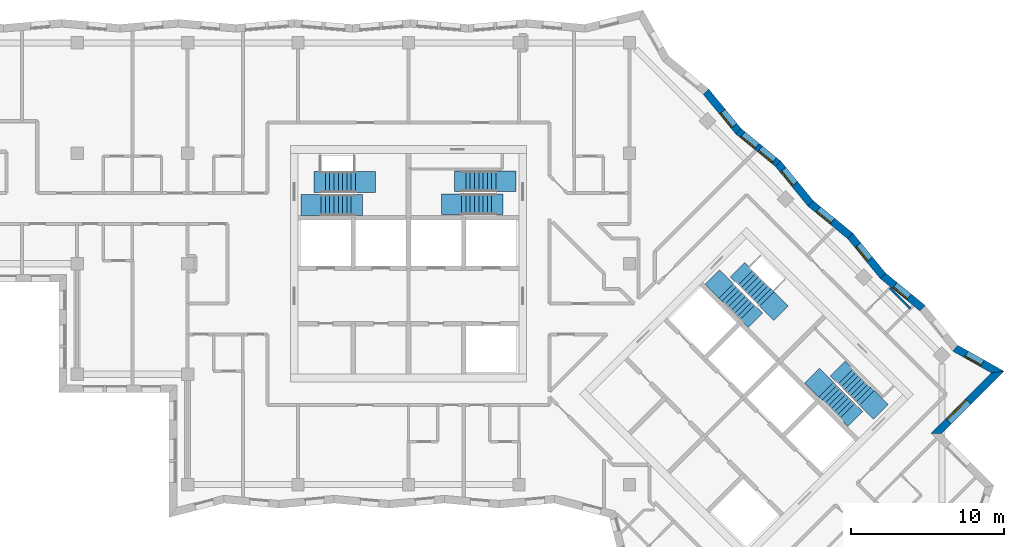
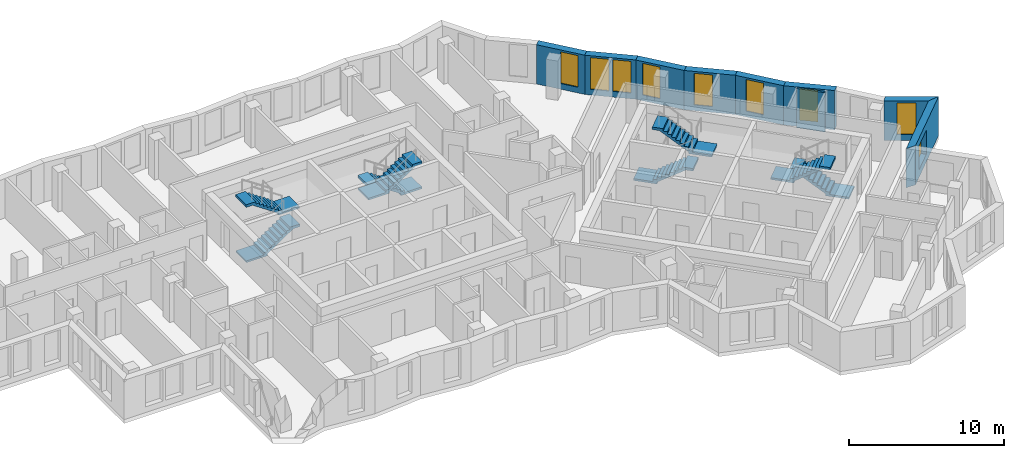
# One storey, part 9 of 11: 9 walls, 9 windows, 8 stair flights, 9 openings, 4 elements without a shape of their own.
"""IFC4 building model written with IfcOpenShell, lengths in metres."""

from ifc_helpers import new_model, si_unit, direction, frame, frame_2d, origin, place, context, subcontext, project, spatial, polyline, rectangle, outline, extrude, material, layer, layer_set, type_object, element, fill, aggregate, save


model = new_model("IFC4")

# Units and contexts
model_context = context("Model", 3, precision=1e-05, world=origin(), true_north=direction((0.0, 1.0)))
body_context = subcontext(model_context, "Body", "Model", "MODEL_VIEW")
ifc_project = project(units=[si_unit("LENGTHUNIT", "METRE"), si_unit("AREAUNIT", "SQUARE_METRE"), si_unit("VOLUMEUNIT", "CUBIC_METRE"), si_unit("PLANEANGLEUNIT", "RADIAN"), si_unit("MASSUNIT", "GRAM", prefix="KILO")], contexts=[model_context])

# Site, building, storey
site_placement = place(None, origin())
site = spatial("IfcSite", under=ifc_project, at=site_placement, CompositionType="ELEMENT")
building_placement = place(site_placement, origin())
building = spatial("IfcBuilding", under=site, at=building_placement, Name="Windrow Commons", CompositionType="ELEMENT")
storey_placement = place(building_placement, frame((0.0, 0.0, 193.0)))
storey = spatial("IfcBuildingStorey", under=building, at=storey_placement, Name="L52", CompositionType="ELEMENT", Elevation=193.0)

# Wall, opening, window
ifc_material_1 = material(Name="Brick masonry, red clay brick", Category="masonry")
ifc_layer_1 = layer(ifc_material_1, 0.5)
ifc_layer_set_1 = layer_set([ifc_layer_1], Name="Brick facade wall 500")
wall_type_1 = type_object("IfcWallType", Name="Brick facade wall 500", PredefinedType="SOLIDWALL", material=ifc_layer_set_1)
wall_1_placement = place(storey_placement, frame((99.2111, 46.5442, 0.0), z_axis=(0.0, 0.0, 1.0), x_axis=(0.7071156298, 0.7070979325, 0.0)))
wall_1 = element("IfcWall", 1, at=wall_1_placement, inside=storey, type_object=wall_type_1, Name="Brick facade wall L52 6", PredefinedType="SOLIDWALL", context=body_context, shape_type="SweptSolid", body=[
    extrude(outline(polyline([(0.25, -0.25), (5.98, -0.25), (5.3211, 0.25), (-0.25, 0.25), (0.25, -0.25)])), origin(), (0.0, 0.0, 1.0), 3.1),
])
opening_1_placement = place(wall_1_placement, frame((1.125, 0.0, 0.6)))
opening_1 = element("IfcOpeningElement", 2, at=opening_1_placement, cuts=wall_1, Name="Opening W1L", PredefinedType="OPENING", context=body_context, shape_type="SweptSolid", body=[
    extrude(rectangle(XDim=1.8, YDim=1.9, at=frame_2d((0.9, 0.95))), frame((0.0, 0.26, 0.0), z_axis=(0.0, -1.0, 0.0), x_axis=(1.0, 0.0, 0.0)), (0.0, 0.0, 1.0), 0.52),
])
ifc_material_2 = material(Name="Clear float glass in anodised aluminium frame", Category="aluminium")
window_type_1 = type_object("IfcWindowType", Name="Window W1L bedroom 1800x1900", PartitioningType="SINGLE_PANEL", PredefinedType="WINDOW", material=ifc_material_2)
window_1_placement = place(opening_1_placement, origin())
window_1 = element("IfcWindow", 3, at=window_1_placement, inside=storey, type_object=window_type_1, Name="Window L52 6.1", OverallHeight=1.9, OverallWidth=1.8, PartitioningType="SINGLE_PANEL", PredefinedType="WINDOW", context=body_context, shape_type="SweptSolid", body=[
    extrude(rectangle(XDim=1.8, YDim=1.9, at=frame_2d((0.9, 0.95))), frame((0.0, 0.18, 0.0), z_axis=(0.0, -1.0, 0.0), x_axis=(1.0, 0.0, 0.0)), (0.0, 0.0, 1.0), 0.06),
])
fill(opening_1, window_1)

wall_2_placement = place(storey_placement, frame((103.2067, 50.5397, 0.0), z_axis=(0.0, 0.0, 1.0), x_axis=(-0.8713136741, 0.4907264832, 0.0)))
wall_2 = element("IfcWall", 4, at=wall_2_placement, inside=storey, type_object=wall_type_1, Name="Brick facade wall L52 7", PredefinedType="SOLIDWALL", context=body_context, shape_type="SweptSolid", body=[
    extrude(outline(polyline([(-0.3294, -0.25), (3.1263, -0.25), (3.2202, 0.25), (0.3294, 0.25), (-0.3294, -0.25)])), origin(), (0.0, 0.0, 1.0), 3.1),
])
opening_2_placement = place(wall_2_placement, frame((1.1513, 0.0, 0.45)))
opening_2 = element("IfcOpeningElement", 5, at=opening_2_placement, cuts=wall_2, Name="Opening W7E", PredefinedType="OPENING", context=body_context, shape_type="SweptSolid", body=[
    extrude(rectangle(XDim=1.2, YDim=2.5, at=frame_2d((0.6, 1.25))), frame((0.0, 0.26, 0.0), z_axis=(0.0, -1.0, 0.0), x_axis=(1.0, 0.0, 0.0)), (0.0, 0.0, 1.0), 0.52),
])
ifc_material_3 = material(Name="Clear float glass in anodised aluminium frame", Category="aluminium")
window_type_2 = type_object("IfcWindowType", Name="Window W7 notch 1200x2500", PartitioningType="SINGLE_PANEL", PredefinedType="WINDOW", material=ifc_material_3)
window_2_placement = place(opening_2_placement, origin())
window_2 = element("IfcWindow", 6, at=window_2_placement, inside=storey, type_object=window_type_2, Name="Window L52 7.1", OverallHeight=2.5, OverallWidth=1.2, PartitioningType="SINGLE_PANEL", PredefinedType="WINDOW", context=body_context, shape_type="SweptSolid", body=[
    extrude(rectangle(XDim=1.2, YDim=2.5, at=frame_2d((0.6, 1.25))), frame((0.0, 0.18, 0.0), z_axis=(0.0, -1.0, 0.0), x_axis=(1.0, 0.0, 0.0)), (0.0, 0.0, 1.0), 0.06),
])
fill(opening_2, window_2)

wall_3_placement = place(storey_placement, frame((98.3077, 54.7008, 0.0), z_axis=(0.0, 0.0, 1.0), x_axis=(-0.7734255065, 0.6338872028, 0.0)))
wall_3 = element("IfcWall", 7, at=wall_3_placement, inside=storey, type_object=wall_type_1, Name="Brick facade wall L52 9", PredefinedType="SOLIDWALL", context=body_context, shape_type="SweptSolid", body=[
    extrude(outline(polyline([(-0.0248, -0.25), (3.3198, -0.25), (3.3693, 0.25), (0.0248, 0.25), (-0.0248, -0.25)])), origin(), (0.0, 0.0, 1.0), 3.1),
])
opening_3_placement = place(wall_3_placement, frame((1.1454, 0.0, 0.45)))
opening_3 = element("IfcOpeningElement", 8, at=opening_3_placement, cuts=wall_3, Name="Opening W7E", PredefinedType="OPENING", context=body_context, shape_type="SweptSolid", body=[
    extrude(rectangle(XDim=1.2, YDim=2.5, at=frame_2d((0.6, 1.25))), frame((0.0, 0.26, 0.0), z_axis=(0.0, -1.0, 0.0), x_axis=(1.0, 0.0, 0.0)), (0.0, 0.0, 1.0), 0.52),
])
window_3_placement = place(opening_3_placement, origin())
window_3 = element("IfcWindow", 9, at=window_3_placement, inside=storey, type_object=window_type_2, Name="Window L52 9.1", OverallHeight=2.5, OverallWidth=1.2, PartitioningType="SINGLE_PANEL", PredefinedType="WINDOW", context=body_context, shape_type="SweptSolid", body=[
    extrude(rectangle(XDim=1.2, YDim=2.5, at=frame_2d((0.6, 1.25))), frame((0.0, 0.18, 0.0), z_axis=(0.0, -1.0, 0.0), x_axis=(1.0, 0.0, 0.0)), (0.0, 0.0, 1.0), 0.06),
])
fill(opening_3, window_3)

wall_4_placement = place(storey_placement, frame((95.7209, 56.8209, 0.0), z_axis=(0.0, 0.0, 1.0), x_axis=(-0.6338839759, 0.7734281512, 0.0)))
wall_4 = element("IfcWall", 10, at=wall_4_placement, inside=storey, type_object=wall_type_1, Name="Brick facade wall L52 10", PredefinedType="SOLIDWALL", context=body_context, shape_type="SweptSolid", body=[
    extrude(outline(polyline([(0.0248, -0.25), (3.3693, -0.25), (3.3198, 0.25), (-0.0248, 0.25), (0.0248, -0.25)])), origin(), (0.0, 0.0, 1.0), 3.1),
])
opening_4_placement = place(wall_4_placement, frame((1.3695, 0.0, 0.45)))
opening_4 = element("IfcOpeningElement", 11, at=opening_4_placement, cuts=wall_4, Name="Opening W7E", PredefinedType="OPENING", context=body_context, shape_type="SweptSolid", body=[
    extrude(rectangle(XDim=1.2, YDim=2.5, at=frame_2d((0.6, 1.25))), frame((0.0, 0.26, 0.0), z_axis=(0.0, -1.0, 0.0), x_axis=(1.0, 0.0, 0.0)), (0.0, 0.0, 1.0), 0.52),
])
window_4_placement = place(opening_4_placement, origin())
window_4 = element("IfcWindow", 12, at=window_4_placement, inside=storey, type_object=window_type_2, Name="Window L52 10.1", OverallHeight=2.5, OverallWidth=1.2, PartitioningType="SINGLE_PANEL", PredefinedType="WINDOW", context=body_context, shape_type="SweptSolid", body=[
    extrude(rectangle(XDim=1.2, YDim=2.5, at=frame_2d((0.6, 1.25))), frame((0.0, 0.18, 0.0), z_axis=(0.0, -1.0, 0.0), x_axis=(1.0, 0.0, 0.0)), (0.0, 0.0, 1.0), 0.06),
])
fill(opening_4, window_4)

wall_5_placement = place(storey_placement, frame((93.6009, 59.4076, 0.0), z_axis=(0.0, 0.0, 1.0), x_axis=(-0.7734255065, 0.6338872028, 0.0)))
wall_5 = element("IfcWall", 13, at=wall_5_placement, inside=storey, type_object=wall_type_1, Name="Brick facade wall L52 11", PredefinedType="SOLIDWALL", context=body_context, shape_type="SweptSolid", body=[
    extrude(outline(polyline([(-0.0248, -0.25), (3.3198, -0.25), (3.3693, 0.25), (0.0248, 0.25), (-0.0248, -0.25)])), origin(), (0.0, 0.0, 1.0), 3.1),
])
opening_5_placement = place(wall_5_placement, frame((1.5185, 0.0, 0.45)))
opening_5 = element("IfcOpeningElement", 14, at=opening_5_placement, cuts=wall_5, Name="Opening W7E", PredefinedType="OPENING", context=body_context, shape_type="SweptSolid", body=[
    extrude(rectangle(XDim=1.2, YDim=2.5, at=frame_2d((0.6, 1.25))), frame((0.0, 0.26, 0.0), z_axis=(0.0, -1.0, 0.0), x_axis=(1.0, 0.0, 0.0)), (0.0, 0.0, 1.0), 0.52),
])
window_5_placement = place(opening_5_placement, origin())
window_5 = element("IfcWindow", 15, at=window_5_placement, inside=storey, type_object=window_type_2, Name="Window L52 11.1", OverallHeight=2.5, OverallWidth=1.2, PartitioningType="SINGLE_PANEL", PredefinedType="WINDOW", context=body_context, shape_type="SweptSolid", body=[
    extrude(rectangle(XDim=1.2, YDim=2.5, at=frame_2d((0.6, 1.25))), frame((0.0, 0.18, 0.0), z_axis=(0.0, -1.0, 0.0), x_axis=(1.0, 0.0, 0.0)), (0.0, 0.0, 1.0), 0.06),
])
fill(opening_5, window_5)

wall_6_placement = place(storey_placement, frame((91.0141, 61.5277, 0.0), z_axis=(0.0, 0.0, 1.0), x_axis=(-0.6338872028, 0.7734255065, 0.0)))
wall_6 = element("IfcWall", 16, at=wall_6_placement, inside=storey, type_object=wall_type_1, Name="Brick facade wall L52 12", PredefinedType="SOLIDWALL", context=body_context, shape_type="SweptSolid", body=[
    extrude(outline(polyline([(0.0248, -0.25), (3.3693, -0.25), (3.3198, 0.25), (-0.0248, 0.25), (0.0248, -0.25)])), origin(), (0.0, 0.0, 1.0), 3.1),
])
opening_6_placement = place(wall_6_placement, frame((1.6426, 0.0, 0.45)))
opening_6 = element("IfcOpeningElement", 17, at=opening_6_placement, cuts=wall_6, Name="Opening W7E", PredefinedType="OPENING", context=body_context, shape_type="SweptSolid", body=[
    extrude(rectangle(XDim=1.2, YDim=2.5, at=frame_2d((0.6, 1.25))), frame((0.0, 0.26, 0.0), z_axis=(0.0, -1.0, 0.0), x_axis=(1.0, 0.0, 0.0)), (0.0, 0.0, 1.0), 0.52),
])
window_6_placement = place(opening_6_placement, origin())
window_6 = element("IfcWindow", 18, at=window_6_placement, inside=storey, type_object=window_type_2, Name="Window L52 12.1", OverallHeight=2.5, OverallWidth=1.2, PartitioningType="SINGLE_PANEL", PredefinedType="WINDOW", context=body_context, shape_type="SweptSolid", body=[
    extrude(rectangle(XDim=1.2, YDim=2.5, at=frame_2d((0.6, 1.25))), frame((0.0, 0.18, 0.0), z_axis=(0.0, -1.0, 0.0), x_axis=(1.0, 0.0, 0.0)), (0.0, 0.0, 1.0), 0.06),
])
fill(opening_6, window_6)

# Wall, openings, windows
wall_7_placement = place(storey_placement, frame((88.894, 64.1145, 0.0), z_axis=(0.0, 0.0, 1.0), x_axis=(-0.7734281512, 0.6338839759, 0.0)))
wall_7 = element("IfcWall", 19, at=wall_7_placement, inside=storey, type_object=wall_type_1, Name="Brick facade wall L52 13", PredefinedType="SOLIDWALL", context=body_context, shape_type="SweptSolid", body=[
    extrude(outline(polyline([(-0.0248, -0.25), (3.3198, -0.25), (3.3693, 0.25), (0.0248, 0.25), (-0.0248, -0.25)])), origin(), (0.0, 0.0, 1.0), 3.1),
])
opening_7_placement = place(wall_7_placement, frame((0.3317, 0.0, 0.45)))
opening_7 = element("IfcOpeningElement", 20, at=opening_7_placement, cuts=wall_7, Name="Opening W7E", PredefinedType="OPENING", context=body_context, shape_type="SweptSolid", body=[
    extrude(rectangle(XDim=1.2, YDim=2.5, at=frame_2d((0.6, 1.25))), frame((0.0, 0.26, 0.0), z_axis=(0.0, -1.0, 0.0), x_axis=(1.0, 0.0, 0.0)), (0.0, 0.0, 1.0), 0.52),
])
opening_8_placement = place(wall_7_placement, frame((1.7916, 0.0, 0.45)))
opening_8 = element("IfcOpeningElement", 21, at=opening_8_placement, cuts=wall_7, Name="Opening W7E", PredefinedType="OPENING", context=body_context, shape_type="SweptSolid", body=[
    extrude(rectangle(XDim=1.2, YDim=2.5, at=frame_2d((0.6, 1.25))), frame((0.0, 0.26, 0.0), z_axis=(0.0, -1.0, 0.0), x_axis=(1.0, 0.0, 0.0)), (0.0, 0.0, 1.0), 0.52),
])
window_7_placement = place(opening_7_placement, origin())
window_7 = element("IfcWindow", 22, at=window_7_placement, inside=storey, type_object=window_type_2, Name="Window L52 13.1", OverallHeight=2.5, OverallWidth=1.2, PartitioningType="SINGLE_PANEL", PredefinedType="WINDOW", context=body_context, shape_type="SweptSolid", body=[
    extrude(rectangle(XDim=1.2, YDim=2.5, at=frame_2d((0.6, 1.25))), frame((0.0, 0.18, 0.0), z_axis=(0.0, -1.0, 0.0), x_axis=(1.0, 0.0, 0.0)), (0.0, 0.0, 1.0), 0.06),
])
fill(opening_7, window_7)
window_8_placement = place(opening_8_placement, origin())
window_8 = element("IfcWindow", 23, at=window_8_placement, inside=storey, type_object=window_type_2, Name="Window L52 13.2", OverallHeight=2.5, OverallWidth=1.2, PartitioningType="SINGLE_PANEL", PredefinedType="WINDOW", context=body_context, shape_type="SweptSolid", body=[
    extrude(rectangle(XDim=1.2, YDim=2.5, at=frame_2d((0.6, 1.25))), frame((0.0, 0.18, 0.0), z_axis=(0.0, -1.0, 0.0), x_axis=(1.0, 0.0, 0.0)), (0.0, 0.0, 1.0), 0.06),
])
fill(opening_8, window_8)

# Wall, opening, window
wall_8_placement = place(storey_placement, frame((86.3073, 66.2345, 0.0), z_axis=(0.0, 0.0, 1.0), x_axis=(-0.6338872028, 0.7734255065, 0.0)))
wall_8 = element("IfcWall", 24, at=wall_8_placement, inside=storey, type_object=wall_type_1, Name="Brick facade wall L52 14", PredefinedType="SOLIDWALL", context=body_context, shape_type="SweptSolid", body=[
    extrude(outline(polyline([(0.0248, -0.25), (3.3693, -0.25), (3.3198, 0.25), (-0.0248, 0.25), (0.0248, -0.25)])), origin(), (0.0, 0.0, 1.0), 3.1),
])
opening_9_placement = place(wall_8_placement, frame((0.4559, 0.0, 0.45)))
opening_9 = element("IfcOpeningElement", 25, at=opening_9_placement, cuts=wall_8, Name="Opening W7E", PredefinedType="OPENING", context=body_context, shape_type="SweptSolid", body=[
    extrude(rectangle(XDim=1.2, YDim=2.5, at=frame_2d((0.6, 1.25))), frame((0.0, 0.26, 0.0), z_axis=(0.0, -1.0, 0.0), x_axis=(1.0, 0.0, 0.0)), (0.0, 0.0, 1.0), 0.52),
])
window_9_placement = place(opening_9_placement, origin())
window_9 = element("IfcWindow", 26, at=window_9_placement, inside=storey, type_object=window_type_2, Name="Window L52 14.1", OverallHeight=2.5, OverallWidth=1.2, PartitioningType="SINGLE_PANEL", PredefinedType="WINDOW", context=body_context, shape_type="SweptSolid", body=[
    extrude(rectangle(XDim=1.2, YDim=2.5, at=frame_2d((0.6, 1.25))), frame((0.0, 0.18, 0.0), z_axis=(0.0, -1.0, 0.0), x_axis=(1.0, 0.0, 0.0)), (0.0, 0.0, 1.0), 0.06),
])
fill(opening_9, window_9)

# Wall
ifc_material_4 = material(Name="Blockwork partition", Category="masonry")
ifc_layer_2 = layer(ifc_material_4, 0.15)
ifc_layer_set_2 = layer_set([ifc_layer_2], Name="IW-ENSUITE-150")
wall_type_2 = type_object("IfcWallType", Name="IW-ENSUITE-150", PredefinedType="PARTITIONING", material=ifc_layer_set_2)
wall_9_placement = place(storey_placement, frame((96.1668, 56.0168, 0.0), z_axis=(0.0, 0.0, 1.0), x_axis=(0.7071067812, -0.7071067812, 0.0)))
element("IfcWall", 27, at=wall_9_placement, inside=storey, type_object=wall_type_2, Name="W-L52-W102", PredefinedType="PARTITIONING", context=body_context, shape_type="SweptSolid", body=[
    extrude(rectangle(XDim=1.9007, YDim=0.15, at=frame_2d((0.9504, 0.0))), origin(), (0.0, 0.0, 1.0), 3.1),
])

# Stair, stair flights
ifc_material_5 = material(Name="Concrete C40/50", Category="concrete")
stair_type = type_object("IfcStairType", Name="Core stair", PredefinedType="HALF_TURN_STAIR", material=ifc_material_5)
placement = place(storey_placement, origin())
stair_1 = element("IfcStair", 28, at=placement, inside=storey, type_object=stair_type, Name="L52 Exit stair A1 core A", PredefinedType="HALF_TURN_STAIR")
ifc_material_6 = material(Name="Concrete C40/50", Category="concrete")
stair_flight_type = type_object("IfcStairFlightType", Name="Core stair flight", PredefinedType="STRAIGHT", material=ifc_material_6)
stair_flight_1_placement = place(storey_placement, frame((59.1, 61.425, 0.0), z_axis=(0.0, 0.0, 1.0), x_axis=(1.0, 0.0, 0.0)))
stair_flight_1 = element("IfcStairFlight", 29, at=stair_flight_1_placement, type_object=stair_flight_type, Name="ST-A1 flight 1", NumberOfRisers=9, NumberOfTreads=8, PredefinedType="STRAIGHT", RiserHeight=0.188888889, TreadLength=0.28, context=body_context, shape_type="SweptSolid", body=[
    extrude(outline(polyline([(-1.3, -0.15), (-1.3, 0.0), (0.0, 0.0), (0.0, 0.1889), (0.28, 0.1889), (0.28, 0.3778), (0.56, 0.3778), (0.56, 0.5667), (0.84, 0.5667), (0.84, 0.7556), (1.12, 0.7556), (1.12, 0.9444), (1.4, 0.9444), (1.4, 1.1333), (1.68, 1.1333), (1.68, 1.3222), (1.96, 1.3222), (1.96, 1.5111), (2.24, 1.5111), (2.69, 1.5111), (2.69, 1.3111), (2.24, 1.3111), (2.24, 1.3302), (0.2682, 0.0), (0.2682, -0.15), (-1.3, -0.15)])), frame((0.0, 0.675, 0.0), z_axis=(0.0, -1.0, 0.0), x_axis=(1.0, 0.0, 0.0)), (0.0, 0.0, 1.0), 1.35),
])
stair_flight_2_placement = place(storey_placement, frame((61.34, 62.925, 1.7), z_axis=(0.0, 0.0, 1.0), x_axis=(-1.0, 0.0, 0.0)))
stair_flight_2 = element("IfcStairFlight", 30, at=stair_flight_2_placement, type_object=stair_flight_type, Name="ST-A1 flight 2", NumberOfRisers=9, NumberOfTreads=8, PredefinedType="STRAIGHT", RiserHeight=0.188888889, TreadLength=0.28, context=body_context, shape_type="SweptSolid", body=[
    extrude(outline(polyline([(-1.3, -0.15), (-1.3, 0.0), (0.0, 0.0), (0.0, 0.1889), (0.28, 0.1889), (0.28, 0.3778), (0.56, 0.3778), (0.56, 0.5667), (0.84, 0.5667), (0.84, 0.7556), (1.12, 0.7556), (1.12, 0.9444), (1.4, 0.9444), (1.4, 1.1333), (1.68, 1.1333), (1.68, 1.3222), (1.96, 1.3222), (1.96, 1.5111), (2.24, 1.5111), (2.69, 1.5111), (2.69, 1.3111), (2.24, 1.3111), (2.24, 1.3302), (0.2682, 0.0), (0.2682, -0.15), (-1.3, -0.15)])), frame((0.0, 0.675, 0.0), z_axis=(0.0, -1.0, 0.0), x_axis=(1.0, 0.0, 0.0)), (0.0, 0.0, 1.0), 1.35),
])
aggregate(stair_1, [stair_flight_1, stair_flight_2])

stair_2 = element("IfcStair", 31, at=placement, inside=storey, type_object=stair_type, Name="L52 Exit stair A2 core A", PredefinedType="HALF_TURN_STAIR")
stair_flight_3_placement = place(storey_placement, frame((70.5, 62.98, 0.0), z_axis=(0.0, 0.0, 1.0), x_axis=(-1.0, 0.0, 0.0)))
stair_flight_3 = element("IfcStairFlight", 32, at=stair_flight_3_placement, type_object=stair_flight_type, Name="ST-A2 flight 1", NumberOfRisers=9, NumberOfTreads=8, PredefinedType="STRAIGHT", RiserHeight=0.188888889, TreadLength=0.28, context=body_context, shape_type="SweptSolid", body=[
    extrude(outline(polyline([(-1.3, -0.15), (-1.3, 0.0), (0.0, 0.0), (0.0, 0.1889), (0.28, 0.1889), (0.28, 0.3778), (0.56, 0.3778), (0.56, 0.5667), (0.84, 0.5667), (0.84, 0.7556), (1.12, 0.7556), (1.12, 0.9444), (1.4, 0.9444), (1.4, 1.1333), (1.68, 1.1333), (1.68, 1.3222), (1.96, 1.3222), (1.96, 1.5111), (2.24, 1.5111), (2.69, 1.5111), (2.69, 1.3111), (2.24, 1.3111), (2.24, 1.3302), (0.2682, 0.0), (0.2682, -0.15), (-1.3, -0.15)])), frame((0.0, 0.675, 0.0), z_axis=(0.0, -1.0, 0.0), x_axis=(1.0, 0.0, 0.0)), (0.0, 0.0, 1.0), 1.35),
])
stair_flight_4_placement = place(storey_placement, frame((68.26, 61.48, 1.7), z_axis=(0.0, 0.0, 1.0), x_axis=(1.0, 0.0, 0.0)))
stair_flight_4 = element("IfcStairFlight", 33, at=stair_flight_4_placement, type_object=stair_flight_type, Name="ST-A2 flight 2", NumberOfRisers=9, NumberOfTreads=8, PredefinedType="STRAIGHT", RiserHeight=0.188888889, TreadLength=0.28, context=body_context, shape_type="SweptSolid", body=[
    extrude(outline(polyline([(-1.3, -0.15), (-1.3, 0.0), (0.0, 0.0), (0.0, 0.1889), (0.28, 0.1889), (0.28, 0.3778), (0.56, 0.3778), (0.56, 0.5667), (0.84, 0.5667), (0.84, 0.7556), (1.12, 0.7556), (1.12, 0.9444), (1.4, 0.9444), (1.4, 1.1333), (1.68, 1.1333), (1.68, 1.3222), (1.96, 1.3222), (1.96, 1.5111), (2.24, 1.5111), (2.69, 1.5111), (2.69, 1.3111), (2.24, 1.3111), (2.24, 1.3302), (0.2682, 0.0), (0.2682, -0.15), (-1.3, -0.15)])), frame((0.0, 0.675, 0.0), z_axis=(0.0, -1.0, 0.0), x_axis=(1.0, 0.0, 0.0)), (0.0, 0.0, 1.0), 1.35),
])
aggregate(stair_2, [stair_flight_3, stair_flight_4])

stair_3 = element("IfcStair", 34, at=placement, inside=storey, type_object=stair_type, Name="L52 Exit stair B1 core B", PredefinedType="HALF_TURN_STAIR")
stair_flight_5_placement = place(storey_placement, frame((85.5109, 55.8249, 0.0), z_axis=(0.0, 0.0, 1.0), x_axis=(0.7071067812, -0.7071067812, 0.0)))
stair_flight_5 = element("IfcStairFlight", 35, at=stair_flight_5_placement, type_object=stair_flight_type, Name="ST-B1 flight 1", NumberOfRisers=9, NumberOfTreads=8, PredefinedType="STRAIGHT", RiserHeight=0.188888889, TreadLength=0.28, context=body_context, shape_type="SweptSolid", body=[
    extrude(outline(polyline([(-1.3, -0.15), (-1.3, 0.0), (0.0, 0.0), (0.0, 0.1889), (0.28, 0.1889), (0.28, 0.3778), (0.56, 0.3778), (0.56, 0.5667), (0.84, 0.5667), (0.84, 0.7556), (1.12, 0.7556), (1.12, 0.9444), (1.4, 0.9444), (1.4, 1.1333), (1.68, 1.1333), (1.68, 1.3222), (1.96, 1.3222), (1.96, 1.5111), (2.24, 1.5111), (2.69, 1.5111), (2.69, 1.3111), (2.24, 1.3111), (2.24, 1.3302), (0.2682, 0.0), (0.2682, -0.15), (-1.3, -0.15)])), frame((0.0, 0.675, 0.0), z_axis=(0.0, -1.0, 0.0), x_axis=(1.0, 0.0, 0.0)), (0.0, 0.0, 1.0), 1.35),
])
stair_flight_6_placement = place(storey_placement, frame((88.1555, 55.3017, 1.7), z_axis=(0.0, 0.0, 1.0), x_axis=(-0.7071067812, 0.7071067812, 0.0)))
stair_flight_6 = element("IfcStairFlight", 36, at=stair_flight_6_placement, type_object=stair_flight_type, Name="ST-B1 flight 2", NumberOfRisers=9, NumberOfTreads=8, PredefinedType="STRAIGHT", RiserHeight=0.188888889, TreadLength=0.28, context=body_context, shape_type="SweptSolid", body=[
    extrude(outline(polyline([(-1.3, -0.15), (-1.3, 0.0), (0.0, 0.0), (0.0, 0.1889), (0.28, 0.1889), (0.28, 0.3778), (0.56, 0.3778), (0.56, 0.5667), (0.84, 0.5667), (0.84, 0.7556), (1.12, 0.7556), (1.12, 0.9444), (1.4, 0.9444), (1.4, 1.1333), (1.68, 1.1333), (1.68, 1.3222), (1.96, 1.3222), (1.96, 1.5111), (2.24, 1.5111), (2.69, 1.5111), (2.69, 1.3111), (2.24, 1.3111), (2.24, 1.3302), (0.2682, 0.0), (0.2682, -0.15), (-1.3, -0.15)])), frame((0.0, 0.675, 0.0), z_axis=(0.0, -1.0, 0.0), x_axis=(1.0, 0.0, 0.0)), (0.0, 0.0, 1.0), 1.35),
])
aggregate(stair_3, [stair_flight_5, stair_flight_6])

stair_4 = element("IfcStair", 37, at=placement, inside=storey, type_object=stair_type, Name="L52 Exit stair B2 core B", PredefinedType="HALF_TURN_STAIR")
stair_flight_7_placement = place(storey_placement, frame((94.6715, 48.8635, 0.0), z_axis=(0.0, 0.0, 1.0), x_axis=(-0.7071067812, 0.7071067812, 0.0)))
stair_flight_7 = element("IfcStairFlight", 38, at=stair_flight_7_placement, type_object=stair_flight_type, Name="ST-B2 flight 1", NumberOfRisers=9, NumberOfTreads=8, PredefinedType="STRAIGHT", RiserHeight=0.188888889, TreadLength=0.28, context=body_context, shape_type="SweptSolid", body=[
    extrude(outline(polyline([(-1.3, -0.15), (-1.3, 0.0), (0.0, 0.0), (0.0, 0.1889), (0.28, 0.1889), (0.28, 0.3778), (0.56, 0.3778), (0.56, 0.5667), (0.84, 0.5667), (0.84, 0.7556), (1.12, 0.7556), (1.12, 0.9444), (1.4, 0.9444), (1.4, 1.1333), (1.68, 1.1333), (1.68, 1.3222), (1.96, 1.3222), (1.96, 1.5111), (2.24, 1.5111), (2.69, 1.5111), (2.69, 1.3111), (2.24, 1.3111), (2.24, 1.3302), (0.2682, 0.0), (0.2682, -0.15), (-1.3, -0.15)])), frame((0.0, 0.675, 0.0), z_axis=(0.0, -1.0, 0.0), x_axis=(1.0, 0.0, 0.0)), (0.0, 0.0, 1.0), 1.35),
])
stair_flight_8_placement = place(storey_placement, frame((92.0269, 49.3867, 1.7), z_axis=(0.0, 0.0, 1.0), x_axis=(0.7071067812, -0.7071067812, 0.0)))
stair_flight_8 = element("IfcStairFlight", 39, at=stair_flight_8_placement, type_object=stair_flight_type, Name="ST-B2 flight 2", NumberOfRisers=9, NumberOfTreads=8, PredefinedType="STRAIGHT", RiserHeight=0.188888889, TreadLength=0.28, context=body_context, shape_type="SweptSolid", body=[
    extrude(outline(polyline([(-1.3, -0.15), (-1.3, 0.0), (0.0, 0.0), (0.0, 0.1889), (0.28, 0.1889), (0.28, 0.3778), (0.56, 0.3778), (0.56, 0.5667), (0.84, 0.5667), (0.84, 0.7556), (1.12, 0.7556), (1.12, 0.9444), (1.4, 0.9444), (1.4, 1.1333), (1.68, 1.1333), (1.68, 1.3222), (1.96, 1.3222), (1.96, 1.5111), (2.24, 1.5111), (2.69, 1.5111), (2.69, 1.3111), (2.24, 1.3111), (2.24, 1.3302), (0.2682, 0.0), (0.2682, -0.15), (-1.3, -0.15)])), frame((0.0, 0.675, 0.0), z_axis=(0.0, -1.0, 0.0), x_axis=(1.0, 0.0, 0.0)), (0.0, 0.0, 1.0), 1.35),
])
aggregate(stair_4, [stair_flight_7, stair_flight_8])

save(model, "model.ifc")
